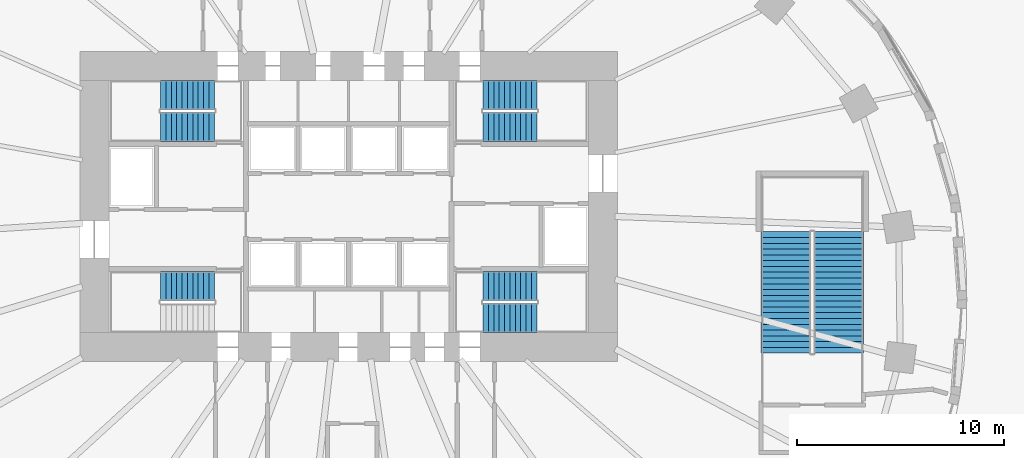
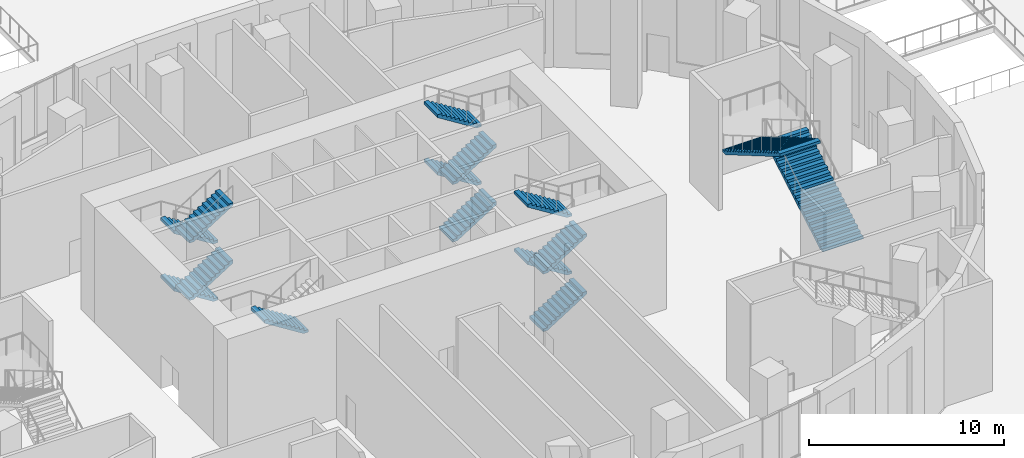
# One storey, part 18 of 27: 15 stair flights, 5 elements without a shape of their own.
"""IFC4 building model written with IfcOpenShell, lengths in metres."""

from ifc_helpers import new_model, si_unit, direction, frame, origin, place, context, subcontext, project, spatial, polyline, outline, extrude, material, type_object, element, aggregate, save


model = new_model("IFC4")

# Units and contexts
model_context = context("Model", 3, precision=1e-05, world=origin(), true_north=direction((0.0, 1.0)))
body_context = subcontext(model_context, "Body", "Model", "MODEL_VIEW")
ifc_project = project(units=[si_unit("LENGTHUNIT", "METRE"), si_unit("AREAUNIT", "SQUARE_METRE"), si_unit("VOLUMEUNIT", "CUBIC_METRE"), si_unit("PLANEANGLEUNIT", "RADIAN"), si_unit("MASSUNIT", "GRAM", prefix="KILO")], contexts=[model_context])

# Site, building, storey
site_placement = place(None, origin())
site = spatial("IfcSite", under=ifc_project, at=site_placement, CompositionType="ELEMENT")
building_placement = place(site_placement, origin())
building = spatial("IfcBuilding", under=site, at=building_placement, Name="Rubra Terraces Tower", CompositionType="ELEMENT")
storey_placement = place(building_placement, origin())
storey = spatial("IfcBuildingStorey", under=building, at=storey_placement, Name="L00", CompositionType="ELEMENT", Elevation=0.0)

# Stair, stair flight
ifc_material_1 = material(Name="Concrete C40", Category="concrete")
stair_type_1 = type_object("IfcStairType", Name="Core stair 1400", PredefinedType="HALF_TURN_STAIR", material=ifc_material_1)
stair_1_placement = place(storey_placement, origin())
stair_1 = element("IfcStair", 1, at=stair_1_placement, inside=storey, type_object=stair_type_1, Name="L00 Exit stair S1", PredefinedType="HALF_TURN_STAIR")
stair_flight_type_1 = type_object("IfcStairFlightType", Name="Core stair flight 1400", PredefinedType="STRAIGHT", material=ifc_material_1)
stair_flight_1_placement = place(storey_placement, frame((-6.5, 0.64990234375, 3.60009765625), z_axis=(0.0, 0.0, 1.0), x_axis=(-1.0, 0.0, 0.0)))
stair_flight_1 = element("IfcStairFlight", 2, at=stair_flight_1_placement, type_object=stair_flight_type_1, Name="S1 flight 3", NumberOfRisers=11, NumberOfTreads=10, PredefinedType="STRAIGHT", RiserHeight=0.163636364, TreadLength=0.26, context=body_context, shape_type="SweptSolid", body=[
    extrude(outline(polyline([(0.0, 0.0), (0.0, 0.16357421875), (0.260009765625, 0.16357421875), (0.260009765625, 0.327392578125), (0.52001953125, 0.327392578125), (0.52001953125, 0.490966796875), (0.780029296875, 0.490966796875), (0.780029296875, 0.654541015625), (1.0400390625, 0.654541015625), (1.0400390625, 0.818115234375), (1.300048828125, 0.818115234375), (1.300048828125, 0.98193359375), (1.56005859375, 0.98193359375), (1.56005859375, 1.1455078125), (1.820068359375, 1.1455078125), (1.820068359375, 1.30908203125), (2.080078125, 1.30908203125), (2.080078125, 1.47265625), (2.340087890625, 1.47265625), (2.340087890625, 1.636474609375), (2.60009765625, 1.636474609375), (2.60009765625, 1.800048828125), (2.60009765625, 1.459228515625), (0.281494140625, 0.0), (0.0, 0.0)])), frame((0.0, 0.699951171875, 0.0), z_axis=(0.0, -1.0, 0.0), x_axis=(1.0, 0.0, 0.0)), (0.0, 0.0, 1.0), 1.39990234375),
])
aggregate(stair_1, [stair_flight_1])

# Stair, stair flights
stair_2_placement = place(storey_placement, origin())
stair_2 = element("IfcStair", 3, at=stair_2_placement, inside=storey, type_object=stair_type_1, Name="L00 Exit stair S2", PredefinedType="HALF_TURN_STAIR")
stair_flight_2_placement = place(storey_placement, frame((-6.5, 9.89990234375, 0.0), z_axis=(0.0, 0.0, 1.0), x_axis=(-1.0, 0.0, 0.0)))
stair_flight_2 = element("IfcStairFlight", 4, at=stair_flight_2_placement, type_object=stair_flight_type_1, Name="S2 flight 1", NumberOfRisers=11, NumberOfTreads=10, PredefinedType="STRAIGHT", RiserHeight=0.163636364, TreadLength=0.26, context=body_context, shape_type="SweptSolid", body=[
    extrude(outline(polyline([(0.0, 0.0), (0.0, 0.16357421875), (0.260009765625, 0.16357421875), (0.260009765625, 0.327392578125), (0.52001953125, 0.327392578125), (0.52001953125, 0.490966796875), (0.780029296875, 0.490966796875), (0.780029296875, 0.654541015625), (1.0400390625, 0.654541015625), (1.0400390625, 0.818115234375), (1.300048828125, 0.818115234375), (1.300048828125, 0.98193359375), (1.56005859375, 0.98193359375), (1.56005859375, 1.1455078125), (1.820068359375, 1.1455078125), (1.820068359375, 1.30908203125), (2.080078125, 1.30908203125), (2.080078125, 1.47265625), (2.340087890625, 1.47265625), (2.340087890625, 1.636474609375), (2.60009765625, 1.636474609375), (2.60009765625, 1.800048828125), (2.60009765625, 1.459228515625), (0.281494140625, 0.0), (0.0, 0.0)])), frame((0.0, 0.699951171875, 0.0), z_axis=(0.0, -1.0, 0.0), x_axis=(1.0, 0.0, 0.0)), (0.0, 0.0, 1.0), 1.39990234375),
])
stair_flight_3_placement = place(storey_placement, frame((-9.10009765625, 8.35009765625, 1.800048828125), z_axis=(0.0, 0.0, 1.0), x_axis=(1.0, 0.0, 0.0)))
stair_flight_3 = element("IfcStairFlight", 5, at=stair_flight_3_placement, type_object=stair_flight_type_1, Name="S2 flight 2", NumberOfRisers=11, NumberOfTreads=10, PredefinedType="STRAIGHT", RiserHeight=0.163636364, TreadLength=0.26, context=body_context, shape_type="SweptSolid", body=[
    extrude(outline(polyline([(0.0, 0.0), (0.0, 0.16357421875), (0.260009765625, 0.16357421875), (0.260009765625, 0.327392578125), (0.52001953125, 0.327392578125), (0.52001953125, 0.490966796875), (0.780029296875, 0.490966796875), (0.780029296875, 0.654541015625), (1.0400390625, 0.654541015625), (1.0400390625, 0.818115234375), (1.300048828125, 0.818115234375), (1.300048828125, 0.98193359375), (1.56005859375, 0.98193359375), (1.56005859375, 1.1455078125), (1.820068359375, 1.1455078125), (1.820068359375, 1.30908203125), (2.080078125, 1.30908203125), (2.080078125, 1.47265625), (2.340087890625, 1.47265625), (2.340087890625, 1.636474609375), (2.60009765625, 1.636474609375), (2.60009765625, 1.800048828125), (2.60009765625, 1.459228515625), (0.281494140625, 0.0), (0.0, 0.0)])), frame((0.0, 0.699951171875, 0.0), z_axis=(0.0, -1.0, 0.0), x_axis=(1.0, 0.0, 0.0)), (0.0, 0.0, 1.0), 1.39990234375),
])
stair_flight_4_placement = place(storey_placement, frame((-6.5, 9.89990234375, 3.60009765625), z_axis=(0.0, 0.0, 1.0), x_axis=(-1.0, 0.0, 0.0)))
stair_flight_4 = element("IfcStairFlight", 6, at=stair_flight_4_placement, type_object=stair_flight_type_1, Name="S2 flight 3", NumberOfRisers=11, NumberOfTreads=10, PredefinedType="STRAIGHT", RiserHeight=0.163636364, TreadLength=0.26, context=body_context, shape_type="SweptSolid", body=[
    extrude(outline(polyline([(0.0, 0.0), (0.0, 0.16357421875), (0.260009765625, 0.16357421875), (0.260009765625, 0.327392578125), (0.52001953125, 0.327392578125), (0.52001953125, 0.490966796875), (0.780029296875, 0.490966796875), (0.780029296875, 0.654541015625), (1.0400390625, 0.654541015625), (1.0400390625, 0.818115234375), (1.300048828125, 0.818115234375), (1.300048828125, 0.98193359375), (1.56005859375, 0.98193359375), (1.56005859375, 1.1455078125), (1.820068359375, 1.1455078125), (1.820068359375, 1.30908203125), (2.080078125, 1.30908203125), (2.080078125, 1.47265625), (2.340087890625, 1.47265625), (2.340087890625, 1.636474609375), (2.60009765625, 1.636474609375), (2.60009765625, 1.800048828125), (2.60009765625, 1.459228515625), (0.281494140625, 0.0), (0.0, 0.0)])), frame((0.0, 0.699951171875, 0.0), z_axis=(0.0, -1.0, 0.0), x_axis=(1.0, 0.0, 0.0)), (0.0, 0.0, 1.0), 1.39990234375),
])
stair_flight_5_placement = place(storey_placement, frame((-9.10009765625, 8.35009765625, 5.39990234375), z_axis=(0.0, 0.0, 1.0), x_axis=(1.0, 0.0, 0.0)))
stair_flight_5 = element("IfcStairFlight", 7, at=stair_flight_5_placement, type_object=stair_flight_type_1, Name="S2 flight 4", NumberOfRisers=11, NumberOfTreads=10, PredefinedType="STRAIGHT", RiserHeight=0.163636364, TreadLength=0.26, context=body_context, shape_type="SweptSolid", body=[
    extrude(outline(polyline([(0.0, 0.0), (0.0, 0.16357421875), (0.260009765625, 0.16357421875), (0.260009765625, 0.327392578125), (0.52001953125, 0.327392578125), (0.52001953125, 0.490966796875), (0.780029296875, 0.490966796875), (0.780029296875, 0.654541015625), (1.0400390625, 0.654541015625), (1.0400390625, 0.818115234375), (1.300048828125, 0.818115234375), (1.300048828125, 0.98193359375), (1.56005859375, 0.98193359375), (1.56005859375, 1.1455078125), (1.820068359375, 1.1455078125), (1.820068359375, 1.30908203125), (2.080078125, 1.30908203125), (2.080078125, 1.47265625), (2.340087890625, 1.47265625), (2.340087890625, 1.636474609375), (2.60009765625, 1.636474609375), (2.60009765625, 1.800048828125), (2.60009765625, 1.459228515625), (0.281494140625, 0.0), (0.0, 0.0)])), frame((0.0, 0.699951171875, 0.0), z_axis=(0.0, -1.0, 0.0), x_axis=(1.0, 0.0, 0.0)), (0.0, 0.0, 1.0), 1.39990234375),
])
aggregate(stair_2, [stair_flight_2, stair_flight_3, stair_flight_4, stair_flight_5])

stair_3_placement = place(storey_placement, origin())
stair_3 = element("IfcStair", 8, at=stair_3_placement, inside=storey, type_object=stair_type_1, Name="L00 Exit stair S3", PredefinedType="HALF_TURN_STAIR")
stair_flight_6_placement = place(storey_placement, frame((6.5, 8.35009765625, 0.0), z_axis=(0.0, 0.0, 1.0), x_axis=(1.0, 0.0, 0.0)))
stair_flight_6 = element("IfcStairFlight", 9, at=stair_flight_6_placement, type_object=stair_flight_type_1, Name="S3 flight 1", NumberOfRisers=11, NumberOfTreads=10, PredefinedType="STRAIGHT", RiserHeight=0.163636364, TreadLength=0.26, context=body_context, shape_type="SweptSolid", body=[
    extrude(outline(polyline([(0.0, 0.0), (0.0, 0.16357421875), (0.260009765625, 0.16357421875), (0.260009765625, 0.327392578125), (0.52001953125, 0.327392578125), (0.52001953125, 0.490966796875), (0.780029296875, 0.490966796875), (0.780029296875, 0.654541015625), (1.0400390625, 0.654541015625), (1.0400390625, 0.818115234375), (1.300048828125, 0.818115234375), (1.300048828125, 0.98193359375), (1.56005859375, 0.98193359375), (1.56005859375, 1.1455078125), (1.820068359375, 1.1455078125), (1.820068359375, 1.30908203125), (2.080078125, 1.30908203125), (2.080078125, 1.47265625), (2.340087890625, 1.47265625), (2.340087890625, 1.636474609375), (2.60009765625, 1.636474609375), (2.60009765625, 1.800048828125), (2.60009765625, 1.459228515625), (0.281494140625, 0.0), (0.0, 0.0)])), frame((0.0, 0.699951171875, 0.0), z_axis=(0.0, -1.0, 0.0), x_axis=(1.0, 0.0, 0.0)), (0.0, 0.0, 1.0), 1.39990234375),
])
stair_flight_7_placement = place(storey_placement, frame((9.10009765625, 9.89990234375, 1.800048828125), z_axis=(0.0, 0.0, 1.0), x_axis=(-1.0, 0.0, 0.0)))
stair_flight_7 = element("IfcStairFlight", 10, at=stair_flight_7_placement, type_object=stair_flight_type_1, Name="S3 flight 2", NumberOfRisers=11, NumberOfTreads=10, PredefinedType="STRAIGHT", RiserHeight=0.163636364, TreadLength=0.26, context=body_context, shape_type="SweptSolid", body=[
    extrude(outline(polyline([(0.0, 0.0), (0.0, 0.16357421875), (0.260009765625, 0.16357421875), (0.260009765625, 0.327392578125), (0.52001953125, 0.327392578125), (0.52001953125, 0.490966796875), (0.780029296875, 0.490966796875), (0.780029296875, 0.654541015625), (1.0400390625, 0.654541015625), (1.0400390625, 0.818115234375), (1.300048828125, 0.818115234375), (1.300048828125, 0.98193359375), (1.56005859375, 0.98193359375), (1.56005859375, 1.1455078125), (1.820068359375, 1.1455078125), (1.820068359375, 1.30908203125), (2.080078125, 1.30908203125), (2.080078125, 1.47265625), (2.340087890625, 1.47265625), (2.340087890625, 1.636474609375), (2.60009765625, 1.636474609375), (2.60009765625, 1.800048828125), (2.60009765625, 1.459228515625), (0.281494140625, 0.0), (0.0, 0.0)])), frame((0.0, 0.699951171875, 0.0), z_axis=(0.0, -1.0, 0.0), x_axis=(1.0, 0.0, 0.0)), (0.0, 0.0, 1.0), 1.39990234375),
])
stair_flight_8_placement = place(storey_placement, frame((6.5, 8.35009765625, 3.60009765625), z_axis=(0.0, 0.0, 1.0), x_axis=(1.0, 0.0, 0.0)))
stair_flight_8 = element("IfcStairFlight", 11, at=stair_flight_8_placement, type_object=stair_flight_type_1, Name="S3 flight 3", NumberOfRisers=11, NumberOfTreads=10, PredefinedType="STRAIGHT", RiserHeight=0.163636364, TreadLength=0.26, context=body_context, shape_type="SweptSolid", body=[
    extrude(outline(polyline([(0.0, 0.0), (0.0, 0.16357421875), (0.260009765625, 0.16357421875), (0.260009765625, 0.327392578125), (0.52001953125, 0.327392578125), (0.52001953125, 0.490966796875), (0.780029296875, 0.490966796875), (0.780029296875, 0.654541015625), (1.0400390625, 0.654541015625), (1.0400390625, 0.818115234375), (1.300048828125, 0.818115234375), (1.300048828125, 0.98193359375), (1.56005859375, 0.98193359375), (1.56005859375, 1.1455078125), (1.820068359375, 1.1455078125), (1.820068359375, 1.30908203125), (2.080078125, 1.30908203125), (2.080078125, 1.47265625), (2.340087890625, 1.47265625), (2.340087890625, 1.636474609375), (2.60009765625, 1.636474609375), (2.60009765625, 1.800048828125), (2.60009765625, 1.459228515625), (0.281494140625, 0.0), (0.0, 0.0)])), frame((0.0, 0.699951171875, 0.0), z_axis=(0.0, -1.0, 0.0), x_axis=(1.0, 0.0, 0.0)), (0.0, 0.0, 1.0), 1.39990234375),
])
stair_flight_9_placement = place(storey_placement, frame((9.10009765625, 9.89990234375, 5.39990234375), z_axis=(0.0, 0.0, 1.0), x_axis=(-1.0, 0.0, 0.0)))
stair_flight_9 = element("IfcStairFlight", 12, at=stair_flight_9_placement, type_object=stair_flight_type_1, Name="S3 flight 4", NumberOfRisers=11, NumberOfTreads=10, PredefinedType="STRAIGHT", RiserHeight=0.163636364, TreadLength=0.26, context=body_context, shape_type="SweptSolid", body=[
    extrude(outline(polyline([(0.0, 0.0), (0.0, 0.16357421875), (0.260009765625, 0.16357421875), (0.260009765625, 0.327392578125), (0.52001953125, 0.327392578125), (0.52001953125, 0.490966796875), (0.780029296875, 0.490966796875), (0.780029296875, 0.654541015625), (1.0400390625, 0.654541015625), (1.0400390625, 0.818115234375), (1.300048828125, 0.818115234375), (1.300048828125, 0.98193359375), (1.56005859375, 0.98193359375), (1.56005859375, 1.1455078125), (1.820068359375, 1.1455078125), (1.820068359375, 1.30908203125), (2.080078125, 1.30908203125), (2.080078125, 1.47265625), (2.340087890625, 1.47265625), (2.340087890625, 1.636474609375), (2.60009765625, 1.636474609375), (2.60009765625, 1.800048828125), (2.60009765625, 1.459228515625), (0.281494140625, 0.0), (0.0, 0.0)])), frame((0.0, 0.699951171875, 0.0), z_axis=(0.0, -1.0, 0.0), x_axis=(1.0, 0.0, 0.0)), (0.0, 0.0, 1.0), 1.39990234375),
])
aggregate(stair_3, [stair_flight_6, stair_flight_7, stair_flight_8, stair_flight_9])

stair_4_placement = place(storey_placement, origin())
stair_4 = element("IfcStair", 13, at=stair_4_placement, inside=storey, type_object=stair_type_1, Name="L00 Exit stair S4", PredefinedType="HALF_TURN_STAIR")
stair_flight_10_placement = place(storey_placement, frame((6.5, -0.89990234375, 0.0), z_axis=(0.0, 0.0, 1.0), x_axis=(1.0, 0.0, 0.0)))
stair_flight_10 = element("IfcStairFlight", 14, at=stair_flight_10_placement, type_object=stair_flight_type_1, Name="S4 flight 1", NumberOfRisers=11, NumberOfTreads=10, PredefinedType="STRAIGHT", RiserHeight=0.163636364, TreadLength=0.26, context=body_context, shape_type="SweptSolid", body=[
    extrude(outline(polyline([(0.0, 0.0), (0.0, 0.16357421875), (0.260009765625, 0.16357421875), (0.260009765625, 0.327392578125), (0.52001953125, 0.327392578125), (0.52001953125, 0.490966796875), (0.780029296875, 0.490966796875), (0.780029296875, 0.654541015625), (1.0400390625, 0.654541015625), (1.0400390625, 0.818115234375), (1.300048828125, 0.818115234375), (1.300048828125, 0.98193359375), (1.56005859375, 0.98193359375), (1.56005859375, 1.1455078125), (1.820068359375, 1.1455078125), (1.820068359375, 1.30908203125), (2.080078125, 1.30908203125), (2.080078125, 1.47265625), (2.340087890625, 1.47265625), (2.340087890625, 1.636474609375), (2.60009765625, 1.636474609375), (2.60009765625, 1.800048828125), (2.60009765625, 1.459228515625), (0.281494140625, 0.0), (0.0, 0.0)])), frame((0.0, 0.699951171875, 0.0), z_axis=(0.0, -1.0, 0.0), x_axis=(1.0, 0.0, 0.0)), (0.0, 0.0, 1.0), 1.39990234375),
])
stair_flight_11_placement = place(storey_placement, frame((9.10009765625, 0.64990234375, 1.800048828125), z_axis=(0.0, 0.0, 1.0), x_axis=(-1.0, 0.0, 0.0)))
stair_flight_11 = element("IfcStairFlight", 15, at=stair_flight_11_placement, type_object=stair_flight_type_1, Name="S4 flight 2", NumberOfRisers=11, NumberOfTreads=10, PredefinedType="STRAIGHT", RiserHeight=0.163636364, TreadLength=0.26, context=body_context, shape_type="SweptSolid", body=[
    extrude(outline(polyline([(0.0, 0.0), (0.0, 0.16357421875), (0.260009765625, 0.16357421875), (0.260009765625, 0.327392578125), (0.52001953125, 0.327392578125), (0.52001953125, 0.490966796875), (0.780029296875, 0.490966796875), (0.780029296875, 0.654541015625), (1.0400390625, 0.654541015625), (1.0400390625, 0.818115234375), (1.300048828125, 0.818115234375), (1.300048828125, 0.98193359375), (1.56005859375, 0.98193359375), (1.56005859375, 1.1455078125), (1.820068359375, 1.1455078125), (1.820068359375, 1.30908203125), (2.080078125, 1.30908203125), (2.080078125, 1.47265625), (2.340087890625, 1.47265625), (2.340087890625, 1.636474609375), (2.60009765625, 1.636474609375), (2.60009765625, 1.800048828125), (2.60009765625, 1.459228515625), (0.281494140625, 0.0), (0.0, 0.0)])), frame((0.0, 0.699951171875, 0.0), z_axis=(0.0, -1.0, 0.0), x_axis=(1.0, 0.0, 0.0)), (0.0, 0.0, 1.0), 1.39990234375),
])
stair_flight_12_placement = place(storey_placement, frame((6.5, -0.89990234375, 3.60009765625), z_axis=(0.0, 0.0, 1.0), x_axis=(1.0, 0.0, 0.0)))
stair_flight_12 = element("IfcStairFlight", 16, at=stair_flight_12_placement, type_object=stair_flight_type_1, Name="S4 flight 3", NumberOfRisers=11, NumberOfTreads=10, PredefinedType="STRAIGHT", RiserHeight=0.163636364, TreadLength=0.26, context=body_context, shape_type="SweptSolid", body=[
    extrude(outline(polyline([(0.0, 0.0), (0.0, 0.16357421875), (0.260009765625, 0.16357421875), (0.260009765625, 0.327392578125), (0.52001953125, 0.327392578125), (0.52001953125, 0.490966796875), (0.780029296875, 0.490966796875), (0.780029296875, 0.654541015625), (1.0400390625, 0.654541015625), (1.0400390625, 0.818115234375), (1.300048828125, 0.818115234375), (1.300048828125, 0.98193359375), (1.56005859375, 0.98193359375), (1.56005859375, 1.1455078125), (1.820068359375, 1.1455078125), (1.820068359375, 1.30908203125), (2.080078125, 1.30908203125), (2.080078125, 1.47265625), (2.340087890625, 1.47265625), (2.340087890625, 1.636474609375), (2.60009765625, 1.636474609375), (2.60009765625, 1.800048828125), (2.60009765625, 1.459228515625), (0.281494140625, 0.0), (0.0, 0.0)])), frame((0.0, 0.699951171875, 0.0), z_axis=(0.0, -1.0, 0.0), x_axis=(1.0, 0.0, 0.0)), (0.0, 0.0, 1.0), 1.39990234375),
])
stair_flight_13_placement = place(storey_placement, frame((9.10009765625, 0.64990234375, 5.39990234375), z_axis=(0.0, 0.0, 1.0), x_axis=(-1.0, 0.0, 0.0)))
stair_flight_13 = element("IfcStairFlight", 17, at=stair_flight_13_placement, type_object=stair_flight_type_1, Name="S4 flight 4", NumberOfRisers=11, NumberOfTreads=10, PredefinedType="STRAIGHT", RiserHeight=0.163636364, TreadLength=0.26, context=body_context, shape_type="SweptSolid", body=[
    extrude(outline(polyline([(0.0, 0.0), (0.0, 0.16357421875), (0.260009765625, 0.16357421875), (0.260009765625, 0.327392578125), (0.52001953125, 0.327392578125), (0.52001953125, 0.490966796875), (0.780029296875, 0.490966796875), (0.780029296875, 0.654541015625), (1.0400390625, 0.654541015625), (1.0400390625, 0.818115234375), (1.300048828125, 0.818115234375), (1.300048828125, 0.98193359375), (1.56005859375, 0.98193359375), (1.56005859375, 1.1455078125), (1.820068359375, 1.1455078125), (1.820068359375, 1.30908203125), (2.080078125, 1.30908203125), (2.080078125, 1.47265625), (2.340087890625, 1.47265625), (2.340087890625, 1.636474609375), (2.60009765625, 1.636474609375), (2.60009765625, 1.800048828125), (2.60009765625, 1.459228515625), (0.281494140625, 0.0), (0.0, 0.0)])), frame((0.0, 0.699951171875, 0.0), z_axis=(0.0, -1.0, 0.0), x_axis=(1.0, 0.0, 0.0)), (0.0, 0.0, 1.0), 1.39990234375),
])
aggregate(stair_4, [stair_flight_10, stair_flight_11, stair_flight_12, stair_flight_13])

ifc_material_2 = material(Name="Concrete C40/50", Category="concrete")
stair_type_2 = type_object("IfcStairType", Name="Public stair", PredefinedType="HALF_TURN_STAIR", material=ifc_material_2)
stair_5_placement = place(storey_placement, origin())
stair_5 = element("IfcStair", 18, at=stair_5_placement, inside=storey, type_object=stair_type_2, Name="L00 public stair PS2", PredefinedType="HALF_TURN_STAIR")
stair_flight_type_2 = type_object("IfcStairFlightType", Name="Public stair flight 2400", PredefinedType="STRAIGHT", material=ifc_material_2)
stair_flight_14_placement = place(storey_placement, frame((23.699951171875, -2.60009765625, 0.0), z_axis=(0.0, 0.0, 1.0), x_axis=(0.0, 1.0, 0.0)))
stair_flight_14 = element("IfcStairFlight", 19, at=stair_flight_14_placement, type_object=stair_flight_type_2, Name="PS2 flight 1", NumberOfRisers=22, NumberOfTreads=21, PredefinedType="STRAIGHT", RiserHeight=0.163636364, TreadLength=0.28, context=body_context, shape_type="SweptSolid", body=[
    extrude(outline(polyline([(0.0, 0.0), (0.0, 0.16357421875), (0.280029296875, 0.16357421875), (0.280029296875, 0.327392578125), (0.56005859375, 0.327392578125), (0.56005859375, 0.490966796875), (0.840087890625, 0.490966796875), (0.840087890625, 0.654541015625), (1.1201171875, 0.654541015625), (1.1201171875, 0.818115234375), (1.39990234375, 0.818115234375), (1.39990234375, 0.98193359375), (1.679931640625, 0.98193359375), (1.679931640625, 1.1455078125), (1.9599609375, 1.1455078125), (1.9599609375, 1.30908203125), (2.239990234375, 1.30908203125), (2.239990234375, 1.47265625), (2.52001953125, 1.47265625), (2.52001953125, 1.636474609375), (2.800048828125, 1.636474609375), (2.800048828125, 1.800048828125), (3.080078125, 1.800048828125), (3.080078125, 1.963623046875), (3.360107421875, 1.963623046875), (3.360107421875, 2.127197265625), (3.639892578125, 2.127197265625), (3.639892578125, 2.291015625), (3.919921875, 2.291015625), (3.919921875, 2.45458984375), (4.199951171875, 2.45458984375), (4.199951171875, 2.6181640625), (4.47998046875, 2.6181640625), (4.47998046875, 2.78173828125), (4.760009765625, 2.78173828125), (4.760009765625, 2.945556640625), (5.0400390625, 2.945556640625), (5.0400390625, 3.109130859375), (5.320068359375, 3.109130859375), (5.320068359375, 3.272705078125), (5.60009765625, 3.272705078125), (5.60009765625, 3.436279296875), (5.8798828125, 3.436279296875), (5.8798828125, 3.60009765625), (5.8798828125, 3.2626953125), (0.297119140625, 0.0), (0.0, 0.0)])), frame((0.0, 1.199951171875, 0.0), z_axis=(0.0, -1.0, 0.0), x_axis=(1.0, 0.0, 0.0)), (0.0, 0.0, 1.0), 2.39990234375),
])
stair_flight_15_placement = place(storey_placement, frame((21.14990234375, 3.280029296875, 3.60009765625), z_axis=(0.0, 0.0, 1.0), x_axis=(0.0, -1.0, 0.0)))
stair_flight_15 = element("IfcStairFlight", 20, at=stair_flight_15_placement, type_object=stair_flight_type_2, Name="PS2 flight 2", NumberOfRisers=22, NumberOfTreads=21, PredefinedType="STRAIGHT", RiserHeight=0.163636364, TreadLength=0.28, context=body_context, shape_type="SweptSolid", body=[
    extrude(outline(polyline([(0.0, 0.0), (0.0, 0.16357421875), (0.280029296875, 0.16357421875), (0.280029296875, 0.327392578125), (0.56005859375, 0.327392578125), (0.56005859375, 0.490966796875), (0.840087890625, 0.490966796875), (0.840087890625, 0.654541015625), (1.1201171875, 0.654541015625), (1.1201171875, 0.818115234375), (1.39990234375, 0.818115234375), (1.39990234375, 0.98193359375), (1.679931640625, 0.98193359375), (1.679931640625, 1.1455078125), (1.9599609375, 1.1455078125), (1.9599609375, 1.30908203125), (2.239990234375, 1.30908203125), (2.239990234375, 1.47265625), (2.52001953125, 1.47265625), (2.52001953125, 1.636474609375), (2.800048828125, 1.636474609375), (2.800048828125, 1.800048828125), (3.080078125, 1.800048828125), (3.080078125, 1.963623046875), (3.360107421875, 1.963623046875), (3.360107421875, 2.127197265625), (3.639892578125, 2.127197265625), (3.639892578125, 2.291015625), (3.919921875, 2.291015625), (3.919921875, 2.45458984375), (4.199951171875, 2.45458984375), (4.199951171875, 2.6181640625), (4.47998046875, 2.6181640625), (4.47998046875, 2.78173828125), (4.760009765625, 2.78173828125), (4.760009765625, 2.945556640625), (5.0400390625, 2.945556640625), (5.0400390625, 3.109130859375), (5.320068359375, 3.109130859375), (5.320068359375, 3.272705078125), (5.60009765625, 3.272705078125), (5.60009765625, 3.436279296875), (5.8798828125, 3.436279296875), (5.8798828125, 3.60009765625), (5.8798828125, 3.2626953125), (0.297119140625, 0.0), (0.0, 0.0)])), frame((0.0, 1.199951171875, 0.0), z_axis=(0.0, -1.0, 0.0), x_axis=(1.0, 0.0, 0.0)), (0.0, 0.0, 1.0), 2.39990234375),
])
aggregate(stair_5, [stair_flight_14, stair_flight_15])

save(model, "model.ifc")
